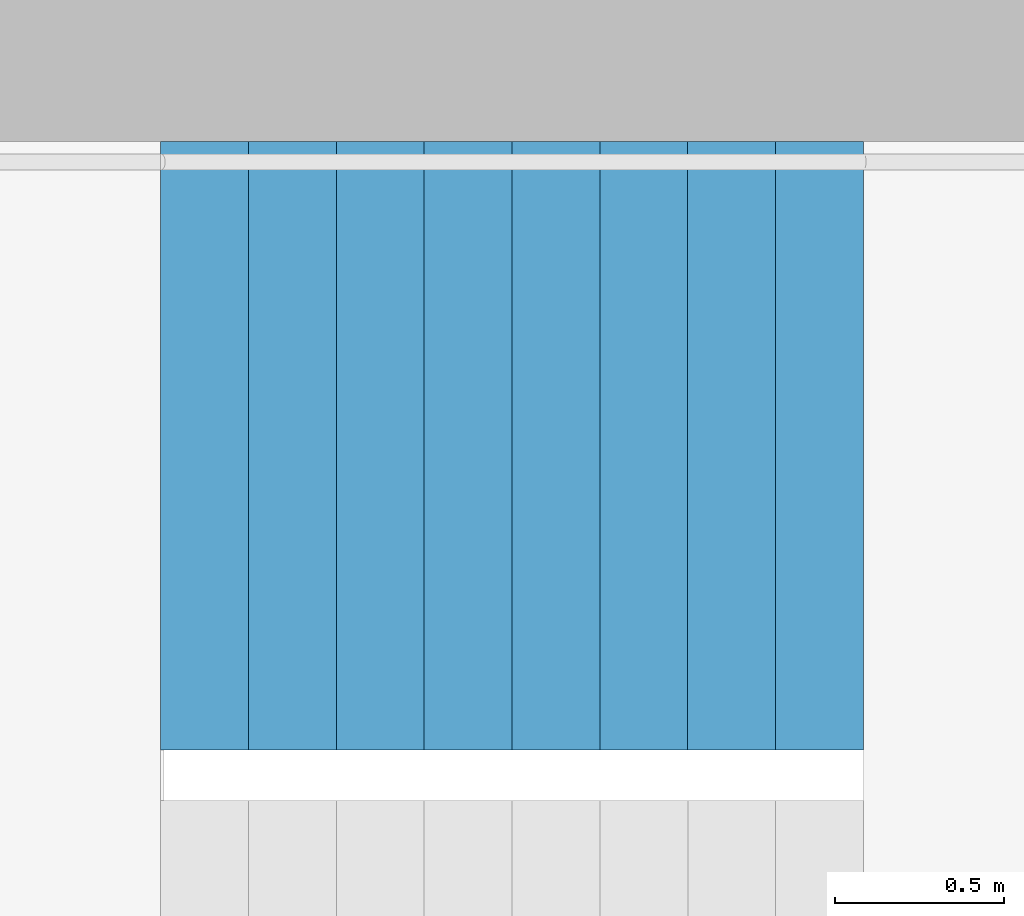
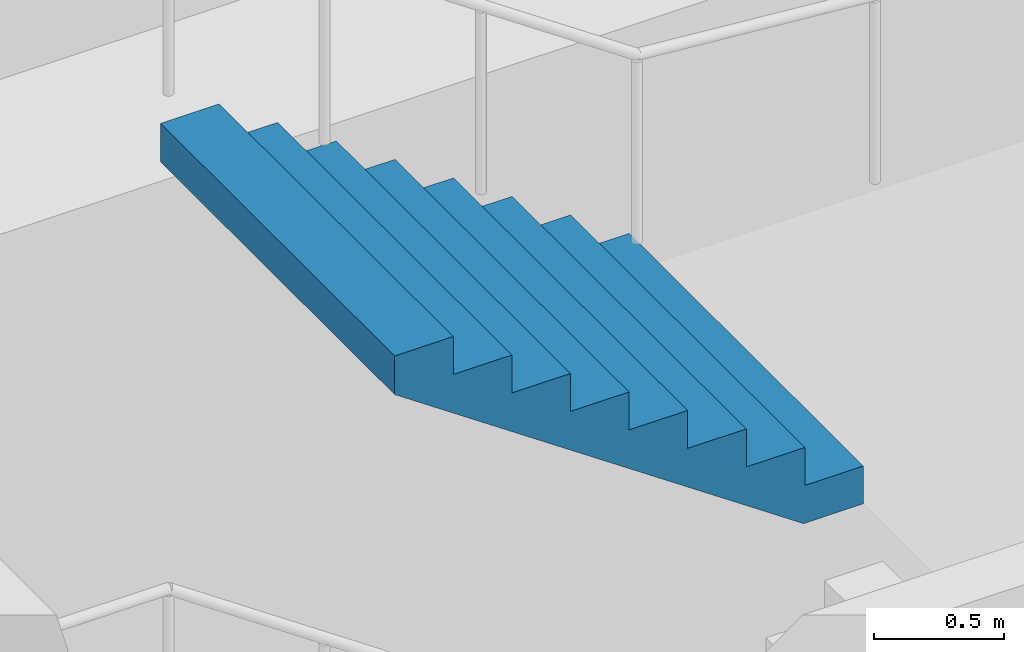
# One storey, part 24 of 43: 1 stair flight, 1 element without a shape of its own.
"""IFC4 building model written with IfcOpenShell, lengths in metres."""

from ifc_helpers import new_model, si_unit, direction, frame, origin, place, context, subcontext, project, spatial, triangles, material, type_object, element, aggregate, save


model = new_model("IFC4")

# Units and contexts
model_context = context("Model", 3, precision=1e-05, world=origin(), true_north=direction((0.0, 1.0)))
body_context = subcontext(model_context, "Body", "Model", "MODEL_VIEW")
ifc_project = project(units=[si_unit("LENGTHUNIT", "METRE"), si_unit("AREAUNIT", "SQUARE_METRE"), si_unit("VOLUMEUNIT", "CUBIC_METRE"), si_unit("PLANEANGLEUNIT", "RADIAN"), si_unit("MASSUNIT", "GRAM", prefix="KILO")], contexts=[model_context])

# Site, building, storey
site_placement = place(None, origin())
site = spatial("IfcSite", under=ifc_project, at=site_placement, CompositionType="ELEMENT")
building_placement = place(site_placement, origin())
building = spatial("IfcBuilding", under=site, at=building_placement, Name="Hakoniwa Tower and Hamabe Station Hall", CompositionType="ELEMENT")
storey_placement = place(building_placement, frame((0.0, 0.0, 124.60009765625)))
storey = spatial("IfcBuildingStorey", under=building, at=storey_placement, Name="L35", CompositionType="ELEMENT", Elevation=124.60009765625)

# Stair, stair flight
ifc_material_1 = material(Name="Concrete C40", Category="concrete")
stair_type = type_object("IfcStairType", Name="ESCAPE STAIR 1800", PredefinedType="HALF_TURN_STAIR", material=ifc_material_1)
stair_placement = place(storey_placement, origin())
stair = element("IfcStair", 1, at=stair_placement, inside=storey, type_object=stair_type, Name="Escape stair ST-1 L35", PredefinedType="HALF_TURN_STAIR")
ifc_material_2 = material(Name="Concrete C40", Category="concrete")
stair_flight_type = type_object("IfcStairFlightType", Name="STAIR FLIGHT 1800", PredefinedType="STRAIGHT", material=ifc_material_2)
stair_flight_placement = place(storey_placement, frame((-22.320068359375, 6.60009765625, 4.7998046875), z_axis=(0.0, 0.0, 1.0), x_axis=(-1.0, 0.0, 0.0)))
stair_flight = element("IfcStairFlight", 2, at=stair_flight_placement, type_object=stair_flight_type, Name="ST-1 flight 4", NumberOfRisers=9, NumberOfTreads=8, PredefinedType="STRAIGHT", RiserHeight=0.177777778, TreadLength=0.26, context=body_context, shape_type="Tessellation", body=[
    triangles([(0.0, 0.89990234375, 0.0), (0.260009765625, 0.89990234375, 0.0), (0.265625, 0.89990234375, 0.0), (0.52001953125, 0.89990234375, 0.174072265625), (0.780029296875, 0.89990234375, 0.351806640625), (1.0400390625, 0.89990234375, 0.529541015625), (1.300048828125, 0.89990234375, 0.707275390625), (1.56005859375, 0.89990234375, 0.885009765625), (1.820068359375, 0.89990234375, 1.062744140625), (2.080078125, 0.89990234375, 1.24072265625), (2.080078125, 0.89990234375, 1.422119140625), (1.820068359375, 0.89990234375, 1.422119140625), (1.820068359375, 0.89990234375, 1.244384765625), (1.56005859375, 0.89990234375, 1.244384765625), (1.56005859375, 0.89990234375, 1.066650390625), (1.300048828125, 0.89990234375, 1.066650390625), (1.300048828125, 0.89990234375, 0.888916015625), (1.0400390625, 0.89990234375, 0.888916015625), (1.0400390625, 0.89990234375, 0.711181640625), (0.780029296875, 0.89990234375, 0.711181640625), (0.780029296875, 0.89990234375, 0.533447265625), (0.52001953125, 0.89990234375, 0.533447265625), (0.52001953125, 0.89990234375, 0.35546875), (0.265625, 0.89990234375, 0.35546875), (0.260009765625, 0.89990234375, 0.35546875), (0.260009765625, 0.89990234375, 0.177734375), (0.0, 0.89990234375, 0.177734375), (0.0, 0.06005859375, 0.0), (0.260009765625, 0.06005859375, 0.0), (0.265625, 0.06005859375, 0.0), (0.52001953125, 0.06005859375, 0.174072265625), (0.780029296875, 0.06005859375, 0.351806640625), (1.0400390625, 0.06005859375, 0.529541015625), (1.300048828125, 0.06005859375, 0.707275390625), (1.56005859375, 0.06005859375, 0.885009765625), (1.820068359375, 0.06005859375, 1.062744140625), (2.080078125, 0.06005859375, 1.24072265625), (2.080078125, 0.06005859375, 1.422119140625), (1.820068359375, 0.06005859375, 1.422119140625), (1.820068359375, 0.06005859375, 1.244384765625), (1.56005859375, 0.06005859375, 1.244384765625), (1.56005859375, 0.06005859375, 1.066650390625), (1.300048828125, 0.06005859375, 1.066650390625), (1.300048828125, 0.06005859375, 0.888916015625), (1.0400390625, 0.06005859375, 0.888916015625), (1.0400390625, 0.06005859375, 0.711181640625), (0.780029296875, 0.06005859375, 0.711181640625), (0.780029296875, 0.06005859375, 0.533447265625), (0.52001953125, 0.06005859375, 0.533447265625), (0.52001953125, 0.06005859375, 0.35546875), (0.265625, 0.06005859375, 0.35546875), (0.260009765625, 0.06005859375, 0.35546875), (0.260009765625, 0.06005859375, 0.177734375), (0.0, 0.06005859375, 0.177734375), (0.0, 0.04296875, 0.0), (0.260009765625, 0.04296875, 0.0), (0.265625, 0.04296875, 0.0), (0.52001953125, 0.04296875, 0.174072265625), (0.780029296875, 0.04296875, 0.351806640625), (1.0400390625, 0.04296875, 0.529541015625), (1.300048828125, 0.04296875, 0.707275390625), (1.56005859375, 0.04296875, 0.885009765625), (1.820068359375, 0.04296875, 1.062744140625), (2.080078125, 0.04296875, 1.24072265625), (2.080078125, 0.04296875, 1.422119140625), (1.820068359375, 0.04296875, 1.422119140625), (1.820068359375, 0.04296875, 1.244384765625), (1.56005859375, 0.04296875, 1.244384765625), (1.56005859375, 0.04296875, 1.066650390625), (1.300048828125, 0.04296875, 1.066650390625), (1.300048828125, 0.04296875, 0.888916015625), (1.0400390625, 0.04296875, 0.888916015625), (1.0400390625, 0.04296875, 0.711181640625), (0.780029296875, 0.04296875, 0.711181640625), (0.780029296875, 0.04296875, 0.533447265625), (0.52001953125, 0.04296875, 0.533447265625), (0.52001953125, 0.04296875, 0.35546875), (0.265625, 0.04296875, 0.35546875), (0.260009765625, 0.04296875, 0.35546875), (0.260009765625, 0.04296875, 0.177734375), (0.0, 0.04296875, 0.177734375), (0.0, 0.025634765625, 0.0), (0.260009765625, 0.025634765625, 0.0), (0.265625, 0.025634765625, 0.0), (0.52001953125, 0.025634765625, 0.174072265625), (0.780029296875, 0.025634765625, 0.351806640625), (1.0400390625, 0.025634765625, 0.529541015625), (1.300048828125, 0.025634765625, 0.707275390625), (1.56005859375, 0.025634765625, 0.885009765625), (1.820068359375, 0.025634765625, 1.062744140625), (2.080078125, 0.025634765625, 1.24072265625), (2.080078125, 0.025634765625, 1.422119140625), (1.820068359375, 0.025634765625, 1.422119140625), (1.820068359375, 0.025634765625, 1.244384765625), (1.56005859375, 0.025634765625, 1.244384765625), (1.56005859375, 0.025634765625, 1.066650390625), (1.300048828125, 0.025634765625, 1.066650390625), (1.300048828125, 0.025634765625, 0.888916015625), (1.0400390625, 0.025634765625, 0.888916015625), (1.0400390625, 0.025634765625, 0.711181640625), (0.780029296875, 0.025634765625, 0.711181640625), (0.780029296875, 0.025634765625, 0.533447265625), (0.52001953125, 0.025634765625, 0.533447265625), (0.52001953125, 0.025634765625, 0.35546875), (0.265625, 0.025634765625, 0.35546875), (0.260009765625, 0.025634765625, 0.35546875), (0.260009765625, 0.025634765625, 0.177734375), (0.0, 0.025634765625, 0.177734375), (0.0, 0.008544921875, 0.0), (0.260009765625, 0.008544921875, 0.0), (0.265625, 0.008544921875, 0.0), (0.52001953125, 0.008544921875, 0.174072265625), (0.780029296875, 0.008544921875, 0.351806640625), (1.0400390625, 0.008544921875, 0.529541015625), (1.300048828125, 0.008544921875, 0.707275390625), (1.56005859375, 0.008544921875, 0.885009765625), (1.820068359375, 0.008544921875, 1.062744140625), (2.080078125, 0.008544921875, 1.24072265625), (2.080078125, 0.008544921875, 1.422119140625), (1.820068359375, 0.008544921875, 1.422119140625), (1.820068359375, 0.008544921875, 1.244384765625), (1.56005859375, 0.008544921875, 1.244384765625), (1.56005859375, 0.008544921875, 1.066650390625), (1.300048828125, 0.008544921875, 1.066650390625), (1.300048828125, 0.008544921875, 0.888916015625), (1.0400390625, 0.008544921875, 0.888916015625), (1.0400390625, 0.008544921875, 0.711181640625), (0.780029296875, 0.008544921875, 0.711181640625), (0.780029296875, 0.008544921875, 0.533447265625), (0.52001953125, 0.008544921875, 0.533447265625), (0.52001953125, 0.008544921875, 0.35546875), (0.265625, 0.008544921875, 0.35546875), (0.260009765625, 0.008544921875, 0.35546875), (0.260009765625, 0.008544921875, 0.177734375), (0.0, 0.008544921875, 0.177734375), (0.0, -0.008544921875, 0.0), (0.260009765625, -0.008544921875, 0.0), (0.265625, -0.008544921875, 0.0), (0.52001953125, -0.008544921875, 0.174072265625), (0.780029296875, -0.008544921875, 0.351806640625), (1.0400390625, -0.008544921875, 0.529541015625), (1.300048828125, -0.008544921875, 0.707275390625), (1.56005859375, -0.008544921875, 0.885009765625), (1.820068359375, -0.008544921875, 1.062744140625), (2.080078125, -0.008544921875, 1.24072265625), (2.080078125, -0.008544921875, 1.422119140625), (1.820068359375, -0.008544921875, 1.422119140625), (1.820068359375, -0.008544921875, 1.244384765625), (1.56005859375, -0.008544921875, 1.244384765625), (1.56005859375, -0.008544921875, 1.066650390625), (1.300048828125, -0.008544921875, 1.066650390625), (1.300048828125, -0.008544921875, 0.888916015625), (1.0400390625, -0.008544921875, 0.888916015625), (1.0400390625, -0.008544921875, 0.711181640625), (0.780029296875, -0.008544921875, 0.711181640625), (0.780029296875, -0.008544921875, 0.533447265625), (0.52001953125, -0.008544921875, 0.533447265625), (0.52001953125, -0.008544921875, 0.35546875), (0.265625, -0.008544921875, 0.35546875), (0.260009765625, -0.008544921875, 0.35546875), (0.260009765625, -0.008544921875, 0.177734375), (0.0, -0.008544921875, 0.177734375), (0.0, -0.025634765625, 0.0), (0.260009765625, -0.025634765625, 0.0), (0.265625, -0.025634765625, 0.0), (0.52001953125, -0.025634765625, 0.174072265625), (0.780029296875, -0.025634765625, 0.351806640625), (1.0400390625, -0.025634765625, 0.529541015625), (1.300048828125, -0.025634765625, 0.707275390625), (1.56005859375, -0.025634765625, 0.885009765625), (1.820068359375, -0.025634765625, 1.062744140625), (2.080078125, -0.025634765625, 1.24072265625), (2.080078125, -0.025634765625, 1.422119140625), (1.820068359375, -0.025634765625, 1.422119140625), (1.820068359375, -0.025634765625, 1.244384765625), (1.56005859375, -0.025634765625, 1.244384765625), (1.56005859375, -0.025634765625, 1.066650390625), (1.300048828125, -0.025634765625, 1.066650390625), (1.300048828125, -0.025634765625, 0.888916015625), (1.0400390625, -0.025634765625, 0.888916015625), (1.0400390625, -0.025634765625, 0.711181640625), (0.780029296875, -0.025634765625, 0.711181640625), (0.780029296875, -0.025634765625, 0.533447265625), (0.52001953125, -0.025634765625, 0.533447265625), (0.52001953125, -0.025634765625, 0.35546875), (0.265625, -0.025634765625, 0.35546875), (0.260009765625, -0.025634765625, 0.35546875), (0.260009765625, -0.025634765625, 0.177734375), (0.0, -0.025634765625, 0.177734375), (0.0, -0.04296875, 0.0), (0.260009765625, -0.04296875, 0.0), (0.265625, -0.04296875, 0.0), (0.52001953125, -0.04296875, 0.174072265625), (0.780029296875, -0.04296875, 0.351806640625), (1.0400390625, -0.04296875, 0.529541015625), (1.300048828125, -0.04296875, 0.707275390625), (1.56005859375, -0.04296875, 0.885009765625), (1.820068359375, -0.04296875, 1.062744140625), (2.080078125, -0.04296875, 1.24072265625), (2.080078125, -0.04296875, 1.422119140625), (1.820068359375, -0.04296875, 1.422119140625), (1.820068359375, -0.04296875, 1.244384765625), (1.56005859375, -0.04296875, 1.244384765625), (1.56005859375, -0.04296875, 1.066650390625), (1.300048828125, -0.04296875, 1.066650390625), (1.300048828125, -0.04296875, 0.888916015625), (1.0400390625, -0.04296875, 0.888916015625), (1.0400390625, -0.04296875, 0.711181640625), (0.780029296875, -0.04296875, 0.711181640625), (0.780029296875, -0.04296875, 0.533447265625), (0.52001953125, -0.04296875, 0.533447265625), (0.52001953125, -0.04296875, 0.35546875), (0.265625, -0.04296875, 0.35546875), (0.260009765625, -0.04296875, 0.35546875), (0.260009765625, -0.04296875, 0.177734375), (0.0, -0.04296875, 0.177734375), (0.0, -0.06005859375, 0.0), (0.260009765625, -0.06005859375, 0.0), (0.265625, -0.06005859375, 0.0), (0.52001953125, -0.06005859375, 0.174072265625), (0.780029296875, -0.06005859375, 0.351806640625), (1.0400390625, -0.06005859375, 0.529541015625), (1.300048828125, -0.06005859375, 0.707275390625), (1.56005859375, -0.06005859375, 0.885009765625), (1.820068359375, -0.06005859375, 1.062744140625), (2.080078125, -0.06005859375, 1.24072265625), (2.080078125, -0.06005859375, 1.422119140625), (1.820068359375, -0.06005859375, 1.422119140625), (1.820068359375, -0.06005859375, 1.244384765625), (1.56005859375, -0.06005859375, 1.244384765625), (1.56005859375, -0.06005859375, 1.066650390625), (1.300048828125, -0.06005859375, 1.066650390625), (1.300048828125, -0.06005859375, 0.888916015625), (1.0400390625, -0.06005859375, 0.888916015625), (1.0400390625, -0.06005859375, 0.711181640625), (0.780029296875, -0.06005859375, 0.711181640625), (0.780029296875, -0.06005859375, 0.533447265625), (0.52001953125, -0.06005859375, 0.533447265625), (0.52001953125, -0.06005859375, 0.35546875), (0.265625, -0.06005859375, 0.35546875), (0.260009765625, -0.06005859375, 0.35546875), (0.260009765625, -0.06005859375, 0.177734375), (0.0, -0.06005859375, 0.177734375), (0.0, -0.89990234375, 0.0), (0.260009765625, -0.89990234375, 0.0), (0.265625, -0.89990234375, 0.0), (0.52001953125, -0.89990234375, 0.174072265625), (0.780029296875, -0.89990234375, 0.351806640625), (1.0400390625, -0.89990234375, 0.529541015625), (1.300048828125, -0.89990234375, 0.707275390625), (1.56005859375, -0.89990234375, 0.885009765625), (1.820068359375, -0.89990234375, 1.062744140625), (2.080078125, -0.89990234375, 1.24072265625), (2.080078125, -0.89990234375, 1.422119140625), (1.820068359375, -0.89990234375, 1.422119140625), (1.820068359375, -0.89990234375, 1.244384765625), (1.56005859375, -0.89990234375, 1.244384765625), (1.56005859375, -0.89990234375, 1.066650390625), (1.300048828125, -0.89990234375, 1.066650390625), (1.300048828125, -0.89990234375, 0.888916015625), (1.0400390625, -0.89990234375, 0.888916015625), (1.0400390625, -0.89990234375, 0.711181640625), (0.780029296875, -0.89990234375, 0.711181640625), (0.780029296875, -0.89990234375, 0.533447265625), (0.52001953125, -0.89990234375, 0.533447265625), (0.52001953125, -0.89990234375, 0.35546875), (0.265625, -0.89990234375, 0.35546875), (0.260009765625, -0.89990234375, 0.35546875), (0.260009765625, -0.89990234375, 0.177734375), (0.0, -0.89990234375, 0.177734375)], [[2, 27, 26], [245, 269, 270], [2, 1, 27], [245, 270, 244], [3, 25, 24], [246, 267, 268], [3, 26, 25], [246, 268, 269], [3, 2, 26], [246, 269, 245], [4, 24, 23], [247, 266, 267], [4, 3, 24], [247, 267, 246], [5, 22, 21], [248, 264, 265], [5, 23, 22], [248, 265, 266], [5, 4, 23], [248, 266, 247], [6, 20, 19], [249, 262, 263], [6, 21, 20], [249, 263, 264], [6, 5, 21], [249, 264, 248], [7, 18, 17], [250, 260, 261], [7, 19, 18], [250, 261, 262], [7, 6, 19], [250, 262, 249], [8, 16, 15], [251, 258, 259], [8, 17, 16], [251, 259, 260], [8, 7, 17], [251, 260, 250], [9, 14, 13], [252, 256, 257], [9, 15, 14], [252, 257, 258], [9, 8, 15], [252, 258, 251], [10, 12, 11], [253, 254, 255], [10, 13, 12], [253, 255, 256], [10, 9, 13], [253, 256, 252], [1, 2, 29], [1, 29, 28], [28, 29, 56], [28, 56, 55], [55, 56, 83], [55, 83, 82], [82, 83, 110], [82, 110, 109], [109, 110, 137], [109, 137, 136], [136, 137, 164], [136, 164, 163], [163, 164, 191], [163, 191, 190], [190, 191, 218], [190, 218, 217], [217, 218, 245], [217, 245, 244], [2, 3, 30], [2, 30, 29], [29, 30, 57], [29, 57, 56], [56, 57, 84], [56, 84, 83], [83, 84, 111], [83, 111, 110], [110, 111, 138], [110, 138, 137], [137, 138, 165], [137, 165, 164], [164, 165, 192], [164, 192, 191], [191, 192, 219], [191, 219, 218], [218, 219, 246], [218, 246, 245], [3, 4, 31], [3, 31, 30], [30, 31, 58], [30, 58, 57], [57, 58, 85], [57, 85, 84], [84, 85, 112], [84, 112, 111], [111, 112, 139], [111, 139, 138], [138, 139, 166], [138, 166, 165], [165, 166, 193], [165, 193, 192], [192, 193, 220], [192, 220, 219], [219, 220, 247], [219, 247, 246], [4, 5, 32], [4, 32, 31], [31, 32, 59], [31, 59, 58], [58, 59, 86], [58, 86, 85], [85, 86, 113], [85, 113, 112], [112, 113, 140], [112, 140, 139], [139, 140, 167], [139, 167, 166], [166, 167, 194], [166, 194, 193], [193, 194, 221], [193, 221, 220], [220, 221, 248], [220, 248, 247], [5, 6, 33], [5, 33, 32], [32, 33, 60], [32, 60, 59], [59, 60, 87], [59, 87, 86], [86, 87, 114], [86, 114, 113], [113, 114, 141], [113, 141, 140], [140, 141, 168], [140, 168, 167], [167, 168, 195], [167, 195, 194], [194, 195, 222], [194, 222, 221], [221, 222, 249], [221, 249, 248], [6, 7, 34], [6, 34, 33], [33, 34, 61], [33, 61, 60], [60, 61, 88], [60, 88, 87], [87, 88, 115], [87, 115, 114], [114, 115, 142], [114, 142, 141], [141, 142, 169], [141, 169, 168], [168, 169, 196], [168, 196, 195], [195, 196, 223], [195, 223, 222], [222, 223, 250], [222, 250, 249], [7, 8, 35], [7, 35, 34], [34, 35, 62], [34, 62, 61], [61, 62, 89], [61, 89, 88], [88, 89, 116], [88, 116, 115], [115, 116, 143], [115, 143, 142], [142, 143, 170], [142, 170, 169], [169, 170, 197], [169, 197, 196], [196, 197, 224], [196, 224, 223], [223, 224, 251], [223, 251, 250], [8, 9, 36], [8, 36, 35], [35, 36, 63], [35, 63, 62], [62, 63, 90], [62, 90, 89], [89, 90, 117], [89, 117, 116], [116, 117, 144], [116, 144, 143], [143, 144, 171], [143, 171, 170], [170, 171, 198], [170, 198, 197], [197, 198, 225], [197, 225, 224], [224, 225, 252], [224, 252, 251], [9, 10, 37], [9, 37, 36], [36, 37, 64], [36, 64, 63], [63, 64, 91], [63, 91, 90], [90, 91, 118], [90, 118, 117], [117, 118, 145], [117, 145, 144], [144, 145, 172], [144, 172, 171], [171, 172, 199], [171, 199, 198], [198, 199, 226], [198, 226, 225], [225, 226, 253], [225, 253, 252], [10, 11, 38], [10, 38, 37], [37, 38, 65], [37, 65, 64], [64, 65, 92], [64, 92, 91], [91, 92, 119], [91, 119, 118], [118, 119, 146], [118, 146, 145], [145, 146, 173], [145, 173, 172], [172, 173, 200], [172, 200, 199], [199, 200, 227], [199, 227, 226], [226, 227, 254], [226, 254, 253], [11, 12, 39], [11, 39, 38], [38, 39, 66], [38, 66, 65], [65, 66, 93], [65, 93, 92], [92, 93, 120], [92, 120, 119], [119, 120, 147], [119, 147, 146], [146, 147, 174], [146, 174, 173], [173, 174, 201], [173, 201, 200], [200, 201, 228], [200, 228, 227], [227, 228, 255], [227, 255, 254], [12, 13, 40], [12, 40, 39], [39, 40, 67], [39, 67, 66], [66, 67, 94], [66, 94, 93], [93, 94, 121], [93, 121, 120], [120, 121, 148], [120, 148, 147], [147, 148, 175], [147, 175, 174], [174, 175, 202], [174, 202, 201], [201, 202, 229], [201, 229, 228], [228, 229, 256], [228, 256, 255], [13, 14, 41], [13, 41, 40], [40, 41, 68], [40, 68, 67], [67, 68, 95], [67, 95, 94], [94, 95, 122], [94, 122, 121], [121, 122, 149], [121, 149, 148], [148, 149, 176], [148, 176, 175], [175, 176, 203], [175, 203, 202], [202, 203, 230], [202, 230, 229], [229, 230, 257], [229, 257, 256], [14, 15, 42], [14, 42, 41], [41, 42, 69], [41, 69, 68], [68, 69, 96], [68, 96, 95], [95, 96, 123], [95, 123, 122], [122, 123, 150], [122, 150, 149], [149, 150, 177], [149, 177, 176], [176, 177, 204], [176, 204, 203], [203, 204, 231], [203, 231, 230], [230, 231, 258], [230, 258, 257], [15, 16, 43], [15, 43, 42], [42, 43, 70], [42, 70, 69], [69, 70, 97], [69, 97, 96], [96, 97, 124], [96, 124, 123], [123, 124, 151], [123, 151, 150], [150, 151, 178], [150, 178, 177], [177, 178, 205], [177, 205, 204], [204, 205, 232], [204, 232, 231], [231, 232, 259], [231, 259, 258], [16, 17, 44], [16, 44, 43], [43, 44, 71], [43, 71, 70], [70, 71, 98], [70, 98, 97], [97, 98, 125], [97, 125, 124], [124, 125, 152], [124, 152, 151], [151, 152, 179], [151, 179, 178], [178, 179, 206], [178, 206, 205], [205, 206, 233], [205, 233, 232], [232, 233, 260], [232, 260, 259], [17, 18, 45], [17, 45, 44], [44, 45, 72], [44, 72, 71], [71, 72, 99], [71, 99, 98], [98, 99, 126], [98, 126, 125], [125, 126, 153], [125, 153, 152], [152, 153, 180], [152, 180, 179], [179, 180, 207], [179, 207, 206], [206, 207, 234], [206, 234, 233], [233, 234, 261], [233, 261, 260], [18, 19, 46], [18, 46, 45], [45, 46, 73], [45, 73, 72], [72, 73, 100], [72, 100, 99], [99, 100, 127], [99, 127, 126], [126, 127, 154], [126, 154, 153], [153, 154, 181], [153, 181, 180], [180, 181, 208], [180, 208, 207], [207, 208, 235], [207, 235, 234], [234, 235, 262], [234, 262, 261], [19, 20, 47], [19, 47, 46], [46, 47, 74], [46, 74, 73], [73, 74, 101], [73, 101, 100], [100, 101, 128], [100, 128, 127], [127, 128, 155], [127, 155, 154], [154, 155, 182], [154, 182, 181], [181, 182, 209], [181, 209, 208], [208, 209, 236], [208, 236, 235], [235, 236, 263], [235, 263, 262], [20, 21, 48], [20, 48, 47], [47, 48, 75], [47, 75, 74], [74, 75, 102], [74, 102, 101], [101, 102, 129], [101, 129, 128], [128, 129, 156], [128, 156, 155], [155, 156, 183], [155, 183, 182], [182, 183, 210], [182, 210, 209], [209, 210, 237], [209, 237, 236], [236, 237, 264], [236, 264, 263], [21, 22, 49], [21, 49, 48], [48, 49, 76], [48, 76, 75], [75, 76, 103], [75, 103, 102], [102, 103, 130], [102, 130, 129], [129, 130, 157], [129, 157, 156], [156, 157, 184], [156, 184, 183], [183, 184, 211], [183, 211, 210], [210, 211, 238], [210, 238, 237], [237, 238, 265], [237, 265, 264], [22, 23, 50], [22, 50, 49], [49, 50, 77], [49, 77, 76], [76, 77, 104], [76, 104, 103], [103, 104, 131], [103, 131, 130], [130, 131, 158], [130, 158, 157], [157, 158, 185], [157, 185, 184], [184, 185, 212], [184, 212, 211], [211, 212, 239], [211, 239, 238], [238, 239, 266], [238, 266, 265], [23, 24, 51], [23, 51, 50], [50, 51, 78], [50, 78, 77], [77, 78, 105], [77, 105, 104], [104, 105, 132], [104, 132, 131], [131, 132, 159], [131, 159, 158], [158, 159, 186], [158, 186, 185], [185, 186, 213], [185, 213, 212], [212, 213, 240], [212, 240, 239], [239, 240, 267], [239, 267, 266], [24, 25, 52], [24, 52, 51], [51, 52, 79], [51, 79, 78], [78, 79, 106], [78, 106, 105], [105, 106, 133], [105, 133, 132], [132, 133, 160], [132, 160, 159], [159, 160, 187], [159, 187, 186], [186, 187, 214], [186, 214, 213], [213, 214, 241], [213, 241, 240], [240, 241, 268], [240, 268, 267], [25, 26, 53], [25, 53, 52], [52, 53, 80], [52, 80, 79], [79, 80, 107], [79, 107, 106], [106, 107, 134], [106, 134, 133], [133, 134, 161], [133, 161, 160], [160, 161, 188], [160, 188, 187], [187, 188, 215], [187, 215, 214], [214, 215, 242], [214, 242, 241], [241, 242, 269], [241, 269, 268], [26, 27, 54], [26, 54, 53], [53, 54, 81], [53, 81, 80], [80, 81, 108], [80, 108, 107], [107, 108, 135], [107, 135, 134], [134, 135, 162], [134, 162, 161], [161, 162, 189], [161, 189, 188], [188, 189, 216], [188, 216, 215], [215, 216, 243], [215, 243, 242], [242, 243, 270], [242, 270, 269], [27, 1, 28], [27, 28, 54], [54, 28, 55], [54, 55, 81], [81, 55, 82], [81, 82, 108], [108, 82, 109], [108, 109, 135], [135, 109, 136], [135, 136, 162], [162, 136, 163], [162, 163, 189], [189, 163, 190], [189, 190, 216], [216, 190, 217], [216, 217, 243], [243, 217, 244], [243, 244, 270]], closed=True),
])
aggregate(stair, [stair_flight])

save(model, "model.ifc")
